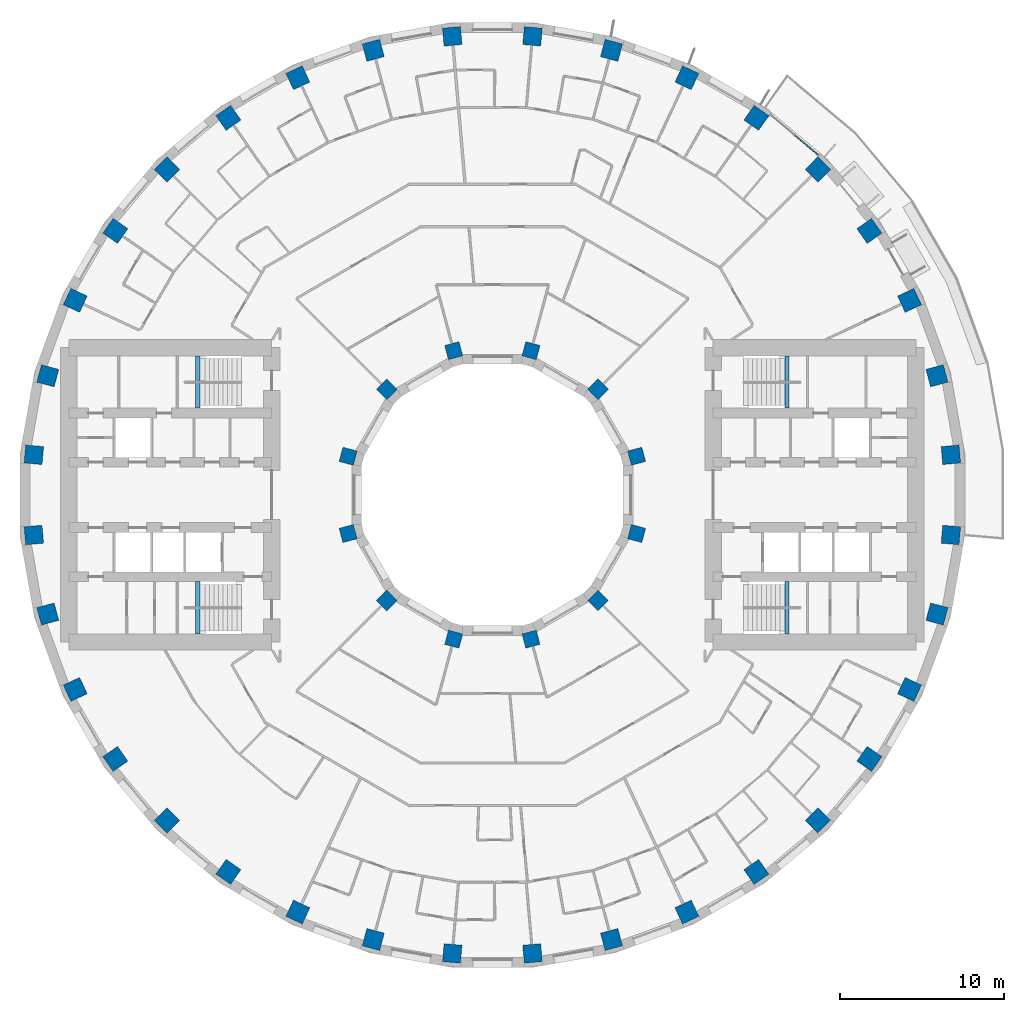
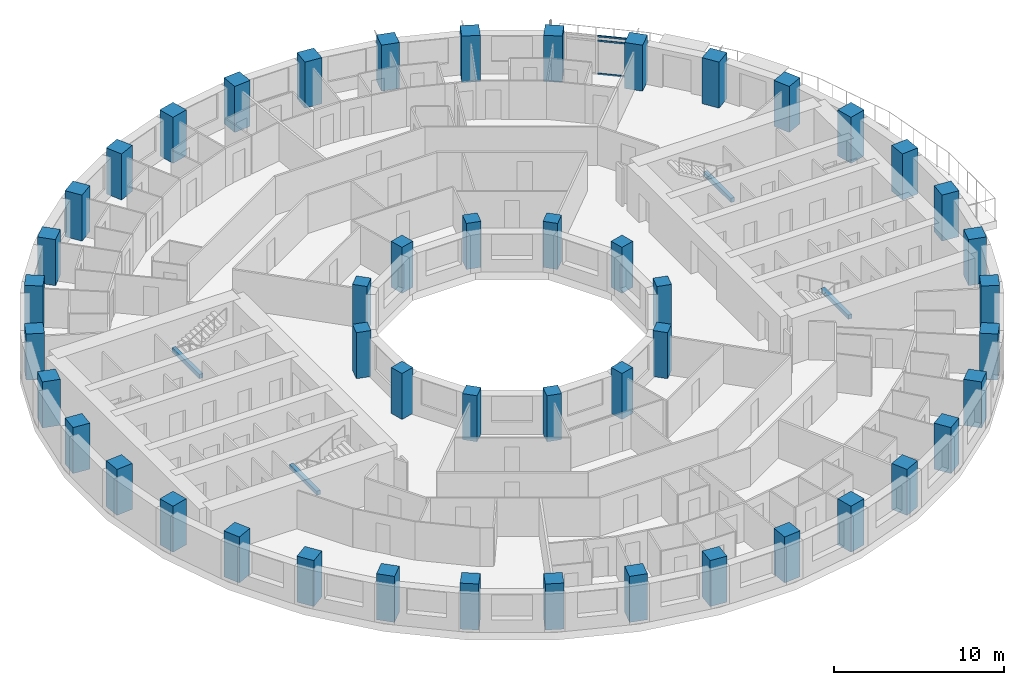
# One storey, part 1 of 15: 48 columns, 4 beams, 3 members, 1 element without a shape of its own.
"""IFC4 building model written with IfcOpenShell, lengths in metres."""

from ifc_helpers import new_model, si_unit, direction, frame, origin, origin_2d, place, context, subcontext, project, spatial, rectangle, extrude, material, layer, layer_set, material_profile, profile_set, type_object, element, aggregate, save


model = new_model("IFC4")

# Units and contexts
model_context = context("Model", 3, precision=1e-05, world=origin(), true_north=direction((0.0, 1.0)))
body_context = subcontext(model_context, "Body", "Model", "MODEL_VIEW")
ifc_project = project(units=[si_unit("LENGTHUNIT", "METRE"), si_unit("AREAUNIT", "SQUARE_METRE"), si_unit("VOLUMEUNIT", "CUBIC_METRE"), si_unit("PLANEANGLEUNIT", "RADIAN"), si_unit("MASSUNIT", "GRAM", prefix="KILO")], contexts=[model_context])

# Site, building, storey
site_placement = place(None, origin())
site = spatial("IfcSite", under=ifc_project, at=site_placement, CompositionType="ELEMENT")
building_placement = place(site_placement, origin())
building = spatial("IfcBuilding", under=site, at=building_placement, Name="Saqina Gate Tower", CompositionType="ELEMENT")
storey_placement = place(building_placement, frame((0.0, 0.0, 62.60009765625)))
storey = spatial("IfcBuildingStorey", under=building, at=storey_placement, Name="L17", CompositionType="ELEMENT", Elevation=62.60009765625)

# Columns
ifc_material_1 = material(Name="Concrete C70/85", Category="concrete")
ifc_material_profile_1 = material_profile(ifc_material_1, rectangle(XDim=0.89990234375, YDim=0.89990234375, at=origin_2d()), Name="RC 900x900")
ifc_profile_set_1 = profile_set([ifc_material_profile_1], Name="Concrete C70/85")
column_type_1 = type_object("IfcColumnType", Name="STR-COL-IN-A", PredefinedType="COLUMN", material=ifc_profile_set_1)
for number, where, z_axis, x_axis, name in (
    (1, (8.821044921875, 2.363525390625, 0.0), (0.0, 0.0, 1.0), (0.965925826289, 0.258819045103, 0.0), "L17-ICL01"),
    (2, (6.45751953125, 6.45751953125, 0.0), (0.0, 0.0, 1.0), (0.707106781187, 0.707106781187, 0.0), "L17-ICL02"),
    (3, (2.363525390625, 8.821044921875, 0.0), (0.0, 0.0, 1.0), (0.258819045103, 0.965925826289, 0.0), "L17-ICL03"),
    (4, (-2.363525390625, 8.821044921875, 0.0), (0.0, 0.0, 1.0), (-0.258819045103, 0.965925826289, 0.0), "L17-ICL04"),
    (5, (-6.45751953125, 6.45751953125, 0.0), (0.0, 0.0, 1.0), (-0.707106781187, 0.707106781187, 0.0), "L17-ICL05"),
    (6, (-8.821044921875, 2.363525390625, 0.0), (0.0, 0.0, 1.0), (-0.965925826289, 0.258819045103, 0.0), "L17-ICL06"),
    (7, (-8.821044921875, -2.363525390625, 0.0), (0.0, 0.0, 1.0), (-0.965925826289, -0.258819045103, 0.0), "L17-ICL07"),
    (8, (-6.45751953125, -6.45751953125, 0.0), (0.0, 0.0, 1.0), (-0.707106781187, -0.707106781187, 0.0), "L17-ICL08"),
    (9, (-2.363525390625, -8.821044921875, 0.0), (0.0, 0.0, 1.0), (-0.258819045103, -0.965925826289, 0.0), "L17-ICL09"),
    (10, (2.363525390625, -8.821044921875, 0.0), (0.0, 0.0, 1.0), (0.258819045103, -0.965925826289, 0.0), "L17-ICL10"),
    (11, (6.45751953125, -6.45751953125, 0.0), (0.0, 0.0, 1.0), (0.707106781187, -0.707106781187, 0.0), "L17-ICL11"),
    (12, (8.821044921875, -2.363525390625, 0.0), (0.0, 0.0, 1.0), (0.965925826289, -0.258819045103, 0.0), "L17-ICL12"),
):
    element("IfcColumn", number, at=place(storey_placement, frame(where, z_axis=z_axis, x_axis=x_axis)), inside=storey, type_object=column_type_1, Name=name, PredefinedType="COLUMN", context=body_context, shape_type="SweptSolid", body=[
        extrude(rectangle(XDim=0.89990234375, YDim=0.89990234375, at=origin_2d()), origin(), (0.0, 0.0, 1.0), 3.2998046875),
    ])
ifc_material_2 = material(Name="Concrete C70/85", Category="concrete")
ifc_material_profile_2 = material_profile(ifc_material_2, rectangle(XDim=1.10009765625, YDim=1.10009765625, at=origin_2d()), Name="RC 1100x1100")
ifc_profile_set_2 = profile_set([ifc_material_profile_2], Name="Concrete C70/85")
column_type_2 = type_object("IfcColumnType", Name="STR-COL-OUT-A", PredefinedType="COLUMN", material=ifc_profile_set_2)
for number, where, z_axis, x_axis, name in (
    (13, (28.04296875, 2.453369140625, 0.0), (0.0, 0.0, 1.0), (0.996194698092, 0.087155742748, 0.0), "L17-COL01"),
    (14, (27.19091796875, 7.28564453125, 0.0), (0.0, 0.0, 1.0), (0.965925826289, 0.258819045103, 0.0), "L17-COL02"),
    (15, (25.512451171875, 11.896728515625, 0.0), (0.0, 0.0, 1.0), (0.906307787037, 0.422618261741, 0.0), "L17-COL03"),
    (16, (23.05908203125, 16.146240234375, 0.0), (0.0, 0.0, 1.0), (0.819152044289, 0.573576436351, 0.0), "L17-COL04"),
    (17, (19.905029296875, 19.905029296875, 0.0), (0.0, 0.0, 1.0), (0.707106781187, 0.707106781187, 0.0), "L17-COL05"),
    (18, (16.146240234375, 23.05908203125, 0.0), (0.0, 0.0, 1.0), (0.573576436351, 0.819152044289, 0.0), "L17-COL06"),
    (19, (11.896728515625, 25.512451171875, 0.0), (0.0, 0.0, 1.0), (0.422618261741, 0.906307787037, 0.0), "L17-COL07"),
    (20, (7.28564453125, 27.19091796875, 0.0), (0.0, 0.0, 1.0), (0.258819045103, 0.965925826289, 0.0), "L17-COL08"),
    (21, (2.453369140625, 28.04296875, 0.0), (0.0, 0.0, 1.0), (0.087155742748, 0.996194698092, 0.0), "L17-COL09"),
    (22, (-2.453369140625, 28.04296875, 0.0), (0.0, 0.0, 1.0), (-0.087155742748, 0.996194698092, 0.0), "L17-COL10"),
    (23, (-7.28564453125, 27.19091796875, 0.0), (0.0, 0.0, 1.0), (-0.258819045103, 0.965925826289, 0.0), "L17-COL11"),
    (24, (-11.896728515625, 25.512451171875, 0.0), (0.0, 0.0, 1.0), (-0.422618261741, 0.906307787037, 0.0), "L17-COL12"),
    (25, (-16.146240234375, 23.05908203125, 0.0), (0.0, 0.0, 1.0), (-0.573576436351, 0.819152044289, 0.0), "L17-COL13"),
    (26, (-19.905029296875, 19.905029296875, 0.0), (0.0, 0.0, 1.0), (-0.707106781187, 0.707106781187, 0.0), "L17-COL14"),
    (27, (-23.05908203125, 16.146240234375, 0.0), (0.0, 0.0, 1.0), (-0.819152044289, 0.573576436351, 0.0), "L17-COL15"),
    (28, (-25.512451171875, 11.896728515625, 0.0), (0.0, 0.0, 1.0), (-0.906307787037, 0.422618261741, 0.0), "L17-COL16"),
    (29, (-27.19091796875, 7.28564453125, 0.0), (0.0, 0.0, 1.0), (-0.965925826289, 0.258819045103, 0.0), "L17-COL17"),
    (30, (-28.04296875, 2.453369140625, 0.0), (0.0, 0.0, 1.0), (-0.996194698092, 0.087155742748, 0.0), "L17-COL18"),
    (31, (-28.04296875, -2.453369140625, 0.0), (0.0, 0.0, 1.0), (-0.996194698092, -0.087155742748, 0.0), "L17-COL19"),
    (32, (-27.19091796875, -7.28564453125, 0.0), (0.0, 0.0, 1.0), (-0.965925826289, -0.258819045103, 0.0), "L17-COL20"),
    (33, (-25.512451171875, -11.896728515625, 0.0), (0.0, 0.0, 1.0), (-0.906307787037, -0.422618261741, 0.0), "L17-COL21"),
    (34, (-23.05908203125, -16.146240234375, 0.0), (0.0, 0.0, 1.0), (-0.819152044289, -0.573576436351, 0.0), "L17-COL22"),
    (35, (-19.905029296875, -19.905029296875, 0.0), (0.0, 0.0, 1.0), (-0.707106781187, -0.707106781187, 0.0), "L17-COL23"),
    (36, (-16.146240234375, -23.05908203125, 0.0), (0.0, 0.0, 1.0), (-0.573576436351, -0.819152044289, 0.0), "L17-COL24"),
    (37, (-11.896728515625, -25.512451171875, 0.0), (0.0, 0.0, 1.0), (-0.422618261741, -0.906307787037, 0.0), "L17-COL25"),
    (38, (-7.28564453125, -27.19091796875, 0.0), (0.0, 0.0, 1.0), (-0.258819045103, -0.965925826289, 0.0), "L17-COL26"),
    (39, (-2.453369140625, -28.04296875, 0.0), (0.0, 0.0, 1.0), (-0.087155742748, -0.996194698092, 0.0), "L17-COL27"),
    (40, (2.453369140625, -28.04296875, 0.0), (0.0, 0.0, 1.0), (0.087155742748, -0.996194698092, 0.0), "L17-COL28"),
    (41, (7.28564453125, -27.19091796875, 0.0), (0.0, 0.0, 1.0), (0.258819045103, -0.965925826289, 0.0), "L17-COL29"),
    (42, (11.896728515625, -25.512451171875, 0.0), (0.0, 0.0, 1.0), (0.422618261741, -0.906307787037, 0.0), "L17-COL30"),
    (43, (16.146240234375, -23.05908203125, 0.0), (0.0, 0.0, 1.0), (0.573576436351, -0.819152044289, 0.0), "L17-COL31"),
    (44, (19.905029296875, -19.905029296875, 0.0), (0.0, 0.0, 1.0), (0.707106781187, -0.707106781187, 0.0), "L17-COL32"),
    (45, (23.05908203125, -16.146240234375, 0.0), (0.0, 0.0, 1.0), (0.819152044289, -0.573576436351, 0.0), "L17-COL33"),
    (46, (25.512451171875, -11.896728515625, 0.0), (0.0, 0.0, 1.0), (0.906307787037, -0.422618261741, 0.0), "L17-COL34"),
    (47, (27.19091796875, -7.28564453125, 0.0), (0.0, 0.0, 1.0), (0.965925826289, -0.258819045103, 0.0), "L17-COL35"),
    (48, (28.04296875, -2.453369140625, 0.0), (0.0, 0.0, 1.0), (0.996194698092, -0.087155742748, 0.0), "L17-COL36"),
):
    element("IfcColumn", number, at=place(storey_placement, frame(where, z_axis=z_axis, x_axis=x_axis)), inside=storey, type_object=column_type_2, Name=name, PredefinedType="COLUMN", context=body_context, shape_type="SweptSolid", body=[
        extrude(rectangle(XDim=1.10009765625, YDim=1.10009765625, at=origin_2d()), origin(), (0.0, 0.0, 1.0), 3.2998046875),
    ])

# Curtain wall, members
ifc_material_3 = material(Name="Aluminium glazing", Category="aluminium")
ifc_layer = layer(ifc_material_3, 0.159912109375)
ifc_layer_set = layer_set([ifc_layer], Name="CWT-4")
curtain_wall_type = type_object("IfcCurtainWallType", Name="CWT-4", PredefinedType="NOTDEFINED", material=ifc_layer_set)
curtain_wall_placement = place(storey_placement, origin())
curtain_wall = element("IfcCurtainWall", 49, at=curtain_wall_placement, inside=storey, type_object=curtain_wall_type, Name="Terrace lounge glazing facet 5", PredefinedType="NOTDEFINED")
ifc_material_4 = material(Name="Aluminium", Category="aluminium")
ifc_material_profile_3 = material_profile(ifc_material_4, rectangle(XDim=0.06005859375, YDim=0.1201171875, at=origin_2d()), Name="Aluminium 60x120")
ifc_profile_set_3 = profile_set([ifc_material_profile_3], Name="Aluminium")
member_type = type_object("IfcMemberType", Name="CWT-4T", PredefinedType="USERDEFINED", material=ifc_profile_set_3)
member_1_placement = place(storey_placement, frame((19.900634765625, 20.818359375, 0.02978515625), z_axis=(-0.766077303133, 0.642748446614, 0.0), x_axis=(-0.642748446614, -0.766077303133, 0.0)))
member_1 = element("IfcMember", 50, at=member_1_placement, type_object=member_type, Name="CW4-05 transom 1.1", ObjectType="TRANSOM", PredefinedType="USERDEFINED", context=body_context, shape_type="SweptSolid", body=[
    extrude(rectangle(XDim=0.06005859375, YDim=0.1201171875, at=origin_2d()), origin(), (0.0, 0.0, 1.0), 1.8330078125),
])
member_2_placement = place(storey_placement, frame((19.900634765625, 20.818359375, 2.39990234375), z_axis=(-0.766077303133, 0.642748446614, 0.0), x_axis=(-0.642748446614, -0.766077303133, 0.0)))
member_2 = element("IfcMember", 51, at=member_2_placement, type_object=member_type, Name="CW4-05 transom 1.2", ObjectType="TRANSOM", PredefinedType="USERDEFINED", context=body_context, shape_type="SweptSolid", body=[
    extrude(rectangle(XDim=0.06005859375, YDim=0.1201171875, at=origin_2d()), origin(), (0.0, 0.0, 1.0), 1.8330078125),
])
member_3_placement = place(storey_placement, frame((19.900634765625, 20.818359375, 2.719970703125), z_axis=(-0.766077303133, 0.642748446614, 0.0), x_axis=(-0.642748446614, -0.766077303133, 0.0)))
member_3 = element("IfcMember", 52, at=member_3_placement, type_object=member_type, Name="CW4-05 transom 1.3", ObjectType="TRANSOM", PredefinedType="USERDEFINED", context=body_context, shape_type="SweptSolid", body=[
    extrude(rectangle(XDim=0.06005859375, YDim=0.1201171875, at=origin_2d()), origin(), (0.0, 0.0, 1.0), 1.8330078125),
])
aggregate(curtain_wall, [member_1, member_2, member_3])

# Beams
ifc_material_5 = material(Name="Concrete C40/50", Category="concrete")
ifc_material_profile_4 = material_profile(ifc_material_5, rectangle(XDim=0.25, YDim=0.300048828125, at=origin_2d()), Name="STAIR LANDING BEAM")
ifc_profile_set_4 = profile_set([ifc_material_profile_4], Name="Concrete C40/50")
beam_type = type_object("IfcBeamType", Name="STAIR LANDING BEAM", PredefinedType="BEAM", material=ifc_profile_set_4)
for number, where, z_axis, x_axis, name in (
    (53, (18.02001953125, 5.300048828125, 1.25), (0.0, 1.0, 0.0), (-1.0, 0.0, 0.0), "EXIT STAIR 1 LANDING BEAM"),
    (54, (18.02001953125, -8.5, 1.25), (0.0, 1.0, 0.0), (-1.0, 0.0, 0.0), "EXIT STAIR 2 LANDING BEAM"),
    (55, (-18.02001953125, 5.300048828125, 1.25), (0.0, 1.0, 0.0), (-1.0, 0.0, 0.0), "EXIT STAIR 3 LANDING BEAM"),
    (56, (-18.02001953125, -8.5, 1.25), (0.0, 1.0, 0.0), (-1.0, 0.0, 0.0), "EXIT STAIR 4 LANDING BEAM"),
):
    element("IfcBeam", number, at=place(storey_placement, frame(where, z_axis=z_axis, x_axis=x_axis)), inside=storey, type_object=beam_type, Name=name, PredefinedType="BEAM", context=body_context, shape_type="SweptSolid", body=[
        extrude(rectangle(XDim=0.25, YDim=0.300048828125, at=origin_2d()), origin(), (0.0, 0.0, 1.0), 3.199951171875),
    ])

save(model, "model.ifc")
